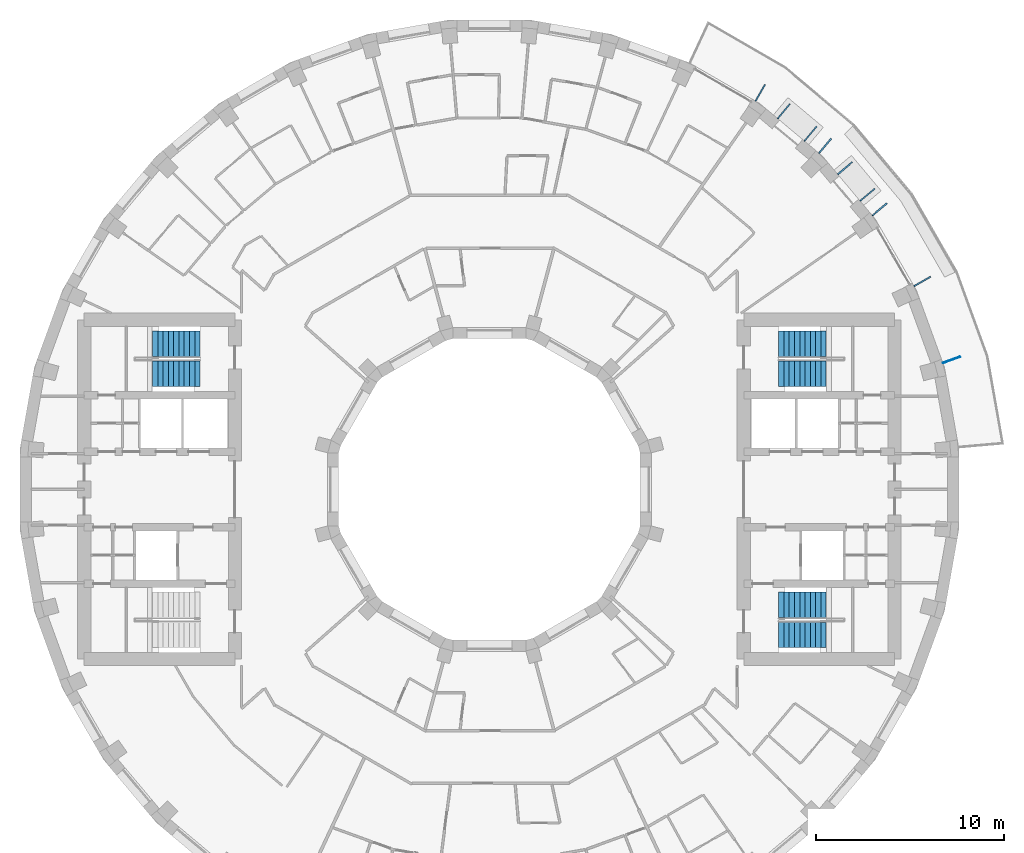
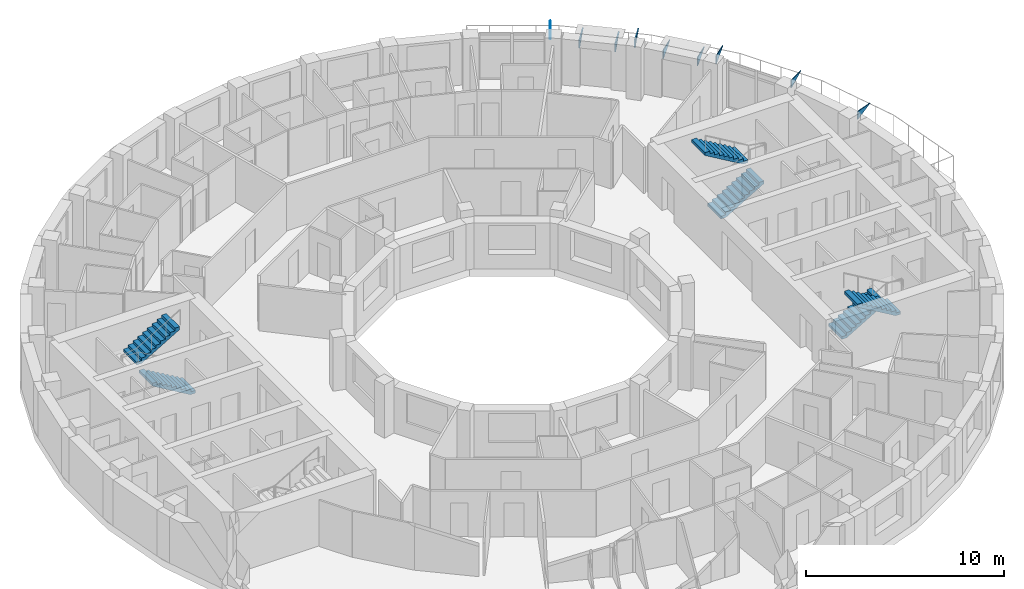
# One storey, part 14 of 15: 9 discrete accessories, 6 stair flights, 3 elements without a shape of their own.
"""IFC4 building model written with IfcOpenShell, lengths in metres."""

import ifcopenshell
import ifcopenshell.guid

model = None  # the IFC model being written
_history = None  # IfcOwnerHistory: only IFC2X3 demands one
_inside = {}  # id of a spatial element -> (the spatial element, [elements in it])
_under = {}  # id of a project, library or spatial element -> (it, [spatial elements below it])
_declared = {}  # id of a project -> (the project, [libraries it declares])
_typed = {}  # id of a type object -> (the type object, [elements of that type])
_made_of = {}  # id of a material, layer set ... -> (it, [elements and type objects made of it])


def new_model(schema):
    """Start an empty IFC model of exactly this schema.

    Asked for "IFC4X3", IfcOpenShell would pick the latest addendum, in which some entities
    have other attributes; the version numbers below select the first issue.
    IFC2X3 requires an IfcOwnerHistory on every rooted entity: one is made here for all.
    """
    global model, _history
    if schema == "IFC4X3":
        model = ifcopenshell.file(schema_version=(4, 3, 0, 0))
    else:
        model = ifcopenshell.file(schema=schema)
    _inside.clear()
    _under.clear()
    _declared.clear()
    _typed.clear()
    _made_of.clear()
    _history = None
    if model.schema == "IFC2X3":
        org = make("IfcOrganization", Name="unknown")
        user = make(
            "IfcPersonAndOrganization",
            ThePerson=make("IfcPerson", FamilyName="unknown"),
            TheOrganization=org,
        )
        app = make(
            "IfcApplication",
            ApplicationDeveloper=org,
            Version="unknown",
            ApplicationFullName="unknown",
            ApplicationIdentifier="unknown",
        )
        _history = make(
            "IfcOwnerHistory",
            OwningUser=user,
            OwningApplication=app,
            ChangeAction="ADDED",
            CreationDate=0,
        )
    return model


def make(cls, **values):
    """One entity of the class cls with the attributes given. An attribute that is None is left unset."""
    return model.create_entity(
        cls, **{name: value for name, value in values.items() if value is not None}
    )


def rooted(cls, **values):
    """An entity with a GlobalId (a new one), such as an element, a storey or a relation."""
    return make(cls, GlobalId=ifcopenshell.guid.new(), OwnerHistory=_history, **values)


def si_unit(unit_type, name, prefix=None):
    """IfcSIUnit, for example si_unit("LENGTHUNIT", "METRE", prefix="MILLI")."""
    return make("IfcSIUnit", UnitType=unit_type, Prefix=prefix, Name=name)


def assignment(units):
    """IfcUnitAssignment: the units of a project."""
    return None if units is None else make("IfcUnitAssignment", Units=units)


def point(xyz):
    """IfcCartesianPoint."""
    return None if xyz is None else make("IfcCartesianPoint", Coordinates=xyz)


def direction(xyz):
    """IfcDirection."""
    return None if xyz is None else make("IfcDirection", DirectionRatios=xyz)


def frame(location, z_axis=None, x_axis=None):
    """IfcAxis2Placement3D, a coordinate frame: its origin and axes. An axis left out is left unset."""
    return make(
        "IfcAxis2Placement3D",
        Location=point(location),
        Axis=direction(z_axis),
        RefDirection=direction(x_axis),
    )


def origin():
    """The frame at (0, 0, 0) with its axes left unset."""
    return frame((0.0, 0.0, 0.0))


def place(relative_to, where):
    """IfcLocalPlacement: puts the frame where relative to a parent placement (None: the world)."""
    return make(
        "IfcLocalPlacement", PlacementRelTo=relative_to, RelativePlacement=where
    )


def context(
    kind, dimensions, precision=None, world=None, true_north=None, identifier=None
):
    """IfcGeometricRepresentationContext, for example the 3D "Model" context."""
    return make(
        "IfcGeometricRepresentationContext",
        ContextIdentifier=identifier,
        ContextType=kind,
        CoordinateSpaceDimension=dimensions,
        Precision=precision,
        WorldCoordinateSystem=world,
        TrueNorth=true_north,
    )


def subcontext(parent, identifier, kind, view, scale=None):
    """IfcGeometricRepresentationSubContext, for example "Body" below "Model"."""
    return make(
        "IfcGeometricRepresentationSubContext",
        ContextIdentifier=identifier,
        ContextType=kind,
        ParentContext=parent,
        TargetScale=scale,
        TargetView=view,
    )


def project(units=None, contexts=None):
    """IfcProject with its units and contexts."""
    return rooted(
        "IfcProject",
        Name="project",
        RepresentationContexts=contexts,
        UnitsInContext=assignment(units),
    )


def spatial(cls, under=None, at=None, **own):
    """A site, building, storey or space (cls), placed at a placement, below another one or the project."""
    s = rooted(cls, ObjectPlacement=at, **own)
    if under is not None:
        _under.setdefault(under.id(), (under, []))[1].append(s)
    return s


def polyline(points):
    """IfcPolyline through the points."""
    return make("IfcPolyline", Points=[point(p) for p in points])


def outline(outer, holes=None, kind="AREA"):
    """IfcArbitraryClosedProfileDef: a profile drawn as a closed curve; with holes, ...WithVoids."""
    if holes is None:
        return make("IfcArbitraryClosedProfileDef", ProfileType=kind, OuterCurve=outer)
    return make(
        "IfcArbitraryProfileDefWithVoids",
        ProfileType=kind,
        OuterCurve=outer,
        InnerCurves=holes,
    )


def extrude(swept, where, along, depth):
    """IfcExtrudedAreaSolid: the profile swept, set in the frame where, extruded along a direction by depth."""
    return make(
        "IfcExtrudedAreaSolid",
        SweptArea=swept,
        Position=where,
        ExtrudedDirection=direction(along),
        Depth=depth,
    )


def shape(context_of_items, identifier, shape_type, items):
    """IfcShapeRepresentation: the items that make up one representation, for example the "Body"."""
    return make(
        "IfcShapeRepresentation",
        ContextOfItems=context_of_items,
        RepresentationIdentifier=identifier,
        RepresentationType=shape_type,
        Items=items,
    )


def material(Name=None, Category=None):
    """IfcMaterial."""
    return make("IfcMaterial", Name=Name, Category=Category)


def layer(
    of_material, thickness, ventilated=None, Name=None, Category=None, Priority=None
):
    """IfcMaterialLayer: one layer of a wall or slab, of a material (None: an air gap)."""
    return make(
        "IfcMaterialLayer",
        Material=of_material,
        LayerThickness=thickness,
        IsVentilated=ventilated,
        Name=Name,
        Category=Category,
        Priority=Priority,
    )


def layer_set(layers, Name=None):
    """IfcMaterialLayerSet."""
    return make("IfcMaterialLayerSet", MaterialLayers=layers, LayerSetName=Name)


def made_of(thing, what):
    """Note that an element or type object is made of a material, layer set ...; save() writes the relation."""
    if what is not None:
        _made_of.setdefault(what.id(), (what, []))[1].append(thing)
    return thing


def type_object(cls, material=None, **own):
    """A type object (cls), such as IfcWallType, which elements share."""
    return made_of(rooted(cls, **own), material)


def element(
    cls,
    number,
    at=None,
    inside=None,
    cuts=None,
    type_object=None,
    material=None,
    context=None,
    identifier="Body",
    shape_type=None,
    held_by="IfcProductDefinitionShape",
    body=None,
    shapes=None,
    **own,
):
    """One element of the class cls, such as IfcWall. Its Tag is "e" and its number.

    at: its placement. inside: the storey or other place that contains it. cuts: it is an
    opening in that element (IfcRelVoidsElement). A single representation is given by context,
    identifier, shape_type and body (its items); several are given by shapes. held_by: the class
    of the entity that holds the representations. save() writes the other relations.
    """
    e = rooted(cls, Tag="e%d" % number, ObjectPlacement=at, **own)
    if body is not None:
        shapes = [shape(context, identifier, shape_type, body)]
    if shapes is not None:
        e.Representation = make(held_by, Representations=shapes)
    if inside is not None:
        _inside.setdefault(inside.id(), (inside, []))[1].append(e)
    if cuts is not None:
        rooted(
            "IfcRelVoidsElement", RelatingBuildingElement=cuts, RelatedOpeningElement=e
        )
    if type_object is not None:
        _typed.setdefault(type_object.id(), (type_object, []))[1].append(e)
    return made_of(e, material)


def aggregate(whole, parts):
    """IfcRelAggregates: a whole, such as a stair, and the parts it consists of."""
    return rooted("IfcRelAggregates", RelatingObject=whole, RelatedObjects=parts)


def save(model, path):
    """Write the relations noted so far, then the file.

    IfcRelAggregates (storeys below a building ...), IfcRelContainedInSpatialStructure (elements
    in a storey), IfcRelDefinesByType, IfcRelAssociatesMaterial and IfcRelDeclares: one each for
    every whole, place, type object, material and project.
    """
    for whole, parts in _under.values():
        aggregate(whole, parts)
    for where, things in _inside.values():
        rooted(
            "IfcRelContainedInSpatialStructure",
            RelatedElements=things,
            RelatingStructure=where,
        )
    for kind, things in _typed.values():
        rooted("IfcRelDefinesByType", RelatedObjects=things, RelatingType=kind)
    for what, things in _made_of.values():
        rooted("IfcRelAssociatesMaterial", RelatedObjects=things, RelatingMaterial=what)
    for by, libraries in _declared.values():
        rooted("IfcRelDeclares", RelatingContext=by, RelatedDefinitions=libraries)
    model.write(path)


model = new_model("IFC4")

# Units and contexts
model_context = context("Model", 3, precision=1e-05, world=origin(), true_north=direction((0.0, 1.0)))
body_context = subcontext(model_context, "Body", "Model", "MODEL_VIEW")
ifc_project = project(units=[si_unit("LENGTHUNIT", "METRE"), si_unit("AREAUNIT", "SQUARE_METRE"), si_unit("VOLUMEUNIT", "CUBIC_METRE"), si_unit("PLANEANGLEUNIT", "RADIAN"), si_unit("MASSUNIT", "GRAM", prefix="KILO")], contexts=[model_context])

# Site, building, storey
site_placement = place(None, origin())
site = spatial("IfcSite", under=ifc_project, at=site_placement, CompositionType="ELEMENT")
building_placement = place(site_placement, origin())
building = spatial("IfcBuilding", under=site, at=building_placement, Name="Saqina Gate Tower", CompositionType="ELEMENT")
storey_placement = place(building_placement, frame((0.0, 0.0, 193.800048828125)))
storey = spatial("IfcBuildingStorey", under=building, at=storey_placement, Name="L55", CompositionType="ELEMENT", Elevation=193.800048828125)

# Stair, stair flights
ifc_material_1 = material(Name="Concrete C40/50", Category="concrete")
stair_type = type_object("IfcStairType", Name="EXIT STAIR", PredefinedType="HALF_TURN_STAIR", material=ifc_material_1)
stair_1_placement = place(storey_placement, origin())
stair_1 = element("IfcStair", 1, at=stair_1_placement, inside=storey, type_object=stair_type, Name="EXIT STAIR 1", PredefinedType="HALF_TURN_STAIR")
ifc_material_2 = material(Name="Concrete C40/50", Category="concrete")
stair_flight_type = type_object("IfcStairFlightType", Name="EXIT STAIR FLIGHT", PredefinedType="STRAIGHT", material=ifc_material_2)
stair_flight_1_placement = place(storey_placement, frame((15.35009765625, 6.125, 0.0), z_axis=(0.0, 0.0, 1.0), x_axis=(1.0, 0.0, 0.0)))
stair_flight_1 = element("IfcStairFlight", 2, at=stair_flight_1_placement, type_object=stair_flight_type, Name="EXIT STAIR 1 FLIGHT 1", NumberOfRisers=10, NumberOfTreads=9, PredefinedType="STRAIGHT", RiserHeight=0.165, TreadLength=0.28, context=body_context, shape_type="SweptSolid", body=[
    extrude(outline(polyline([(0.0, 0.0), (0.0, 0.1650390625), (0.280029296875, 0.1650390625), (0.280029296875, 0.330078125), (0.56005859375, 0.330078125), (0.56005859375, 0.4951171875), (0.840087890625, 0.4951171875), (0.840087890625, 0.659912109375), (1.1201171875, 0.659912109375), (1.1201171875, 0.824951171875), (1.39990234375, 0.824951171875), (1.39990234375, 0.989990234375), (1.679931640625, 0.989990234375), (1.679931640625, 1.155029296875), (1.9599609375, 1.155029296875), (1.9599609375, 1.320068359375), (2.239990234375, 1.320068359375), (2.239990234375, 1.485107421875), (2.52001953125, 1.485107421875), (2.52001953125, 1.64990234375), (2.52001953125, 1.31103515625), (0.295166015625, 0.0), (0.0, 0.0)])), frame((0.0, 0.675048828125, 0.0), z_axis=(0.0, -1.0, 0.0), x_axis=(1.0, 0.0, 0.0)), (0.0, 0.0, 1.0), 1.35009765625),
])
stair_flight_2_placement = place(storey_placement, frame((17.8701171875, 7.72509765625, 1.64990234375), z_axis=(0.0, 0.0, 1.0), x_axis=(-1.0, 0.0, 0.0)))
stair_flight_2 = element("IfcStairFlight", 3, at=stair_flight_2_placement, type_object=stair_flight_type, Name="EXIT STAIR 1 FLIGHT 2", NumberOfRisers=10, NumberOfTreads=9, PredefinedType="STRAIGHT", RiserHeight=0.165, TreadLength=0.28, context=body_context, shape_type="SweptSolid", body=[
    extrude(outline(polyline([(0.0, 0.0), (0.0, 0.1650390625), (0.280029296875, 0.1650390625), (0.280029296875, 0.330078125), (0.56005859375, 0.330078125), (0.56005859375, 0.4951171875), (0.840087890625, 0.4951171875), (0.840087890625, 0.659912109375), (1.1201171875, 0.659912109375), (1.1201171875, 0.824951171875), (1.39990234375, 0.824951171875), (1.39990234375, 0.989990234375), (1.679931640625, 0.989990234375), (1.679931640625, 1.155029296875), (1.9599609375, 1.155029296875), (1.9599609375, 1.320068359375), (2.239990234375, 1.320068359375), (2.239990234375, 1.485107421875), (2.52001953125, 1.485107421875), (2.52001953125, 1.64990234375), (2.52001953125, 1.31103515625), (0.295166015625, 0.0), (0.0, 0.0)])), frame((0.0, 0.675048828125, 0.0), z_axis=(0.0, -1.0, 0.0), x_axis=(1.0, 0.0, 0.0)), (0.0, 0.0, 1.0), 1.35009765625),
])
aggregate(stair_1, [stair_flight_1, stair_flight_2])

stair_2_placement = place(storey_placement, origin())
stair_2 = element("IfcStair", 4, at=stair_2_placement, inside=storey, type_object=stair_type, Name="EXIT STAIR 2", PredefinedType="HALF_TURN_STAIR")
stair_flight_3_placement = place(storey_placement, frame((15.35009765625, -6.125, 0.0), z_axis=(0.0, 0.0, 1.0), x_axis=(1.0, 0.0, 0.0)))
stair_flight_3 = element("IfcStairFlight", 5, at=stair_flight_3_placement, type_object=stair_flight_type, Name="EXIT STAIR 2 FLIGHT 1", NumberOfRisers=10, NumberOfTreads=9, PredefinedType="STRAIGHT", RiserHeight=0.165, TreadLength=0.28, context=body_context, shape_type="SweptSolid", body=[
    extrude(outline(polyline([(0.0, 0.0), (0.0, 0.1650390625), (0.280029296875, 0.1650390625), (0.280029296875, 0.330078125), (0.56005859375, 0.330078125), (0.56005859375, 0.4951171875), (0.840087890625, 0.4951171875), (0.840087890625, 0.659912109375), (1.1201171875, 0.659912109375), (1.1201171875, 0.824951171875), (1.39990234375, 0.824951171875), (1.39990234375, 0.989990234375), (1.679931640625, 0.989990234375), (1.679931640625, 1.155029296875), (1.9599609375, 1.155029296875), (1.9599609375, 1.320068359375), (2.239990234375, 1.320068359375), (2.239990234375, 1.485107421875), (2.52001953125, 1.485107421875), (2.52001953125, 1.64990234375), (2.52001953125, 1.31103515625), (0.295166015625, 0.0), (0.0, 0.0)])), frame((0.0, 0.675048828125, 0.0), z_axis=(0.0, -1.0, 0.0), x_axis=(1.0, 0.0, 0.0)), (0.0, 0.0, 1.0), 1.35009765625),
])
stair_flight_4_placement = place(storey_placement, frame((17.8701171875, -7.72509765625, 1.64990234375), z_axis=(0.0, 0.0, 1.0), x_axis=(-1.0, 0.0, 0.0)))
stair_flight_4 = element("IfcStairFlight", 6, at=stair_flight_4_placement, type_object=stair_flight_type, Name="EXIT STAIR 2 FLIGHT 2", NumberOfRisers=10, NumberOfTreads=9, PredefinedType="STRAIGHT", RiserHeight=0.165, TreadLength=0.28, context=body_context, shape_type="SweptSolid", body=[
    extrude(outline(polyline([(0.0, 0.0), (0.0, 0.1650390625), (0.280029296875, 0.1650390625), (0.280029296875, 0.330078125), (0.56005859375, 0.330078125), (0.56005859375, 0.4951171875), (0.840087890625, 0.4951171875), (0.840087890625, 0.659912109375), (1.1201171875, 0.659912109375), (1.1201171875, 0.824951171875), (1.39990234375, 0.824951171875), (1.39990234375, 0.989990234375), (1.679931640625, 0.989990234375), (1.679931640625, 1.155029296875), (1.9599609375, 1.155029296875), (1.9599609375, 1.320068359375), (2.239990234375, 1.320068359375), (2.239990234375, 1.485107421875), (2.52001953125, 1.485107421875), (2.52001953125, 1.64990234375), (2.52001953125, 1.31103515625), (0.295166015625, 0.0), (0.0, 0.0)])), frame((0.0, 0.675048828125, 0.0), z_axis=(0.0, -1.0, 0.0), x_axis=(1.0, 0.0, 0.0)), (0.0, 0.0, 1.0), 1.35009765625),
])
aggregate(stair_2, [stair_flight_3, stair_flight_4])

stair_3_placement = place(storey_placement, origin())
stair_3 = element("IfcStair", 7, at=stair_3_placement, inside=storey, type_object=stair_type, Name="EXIT STAIR 3", PredefinedType="HALF_TURN_STAIR")
stair_flight_5_placement = place(storey_placement, frame((-15.35009765625, 6.125, 0.0), z_axis=(0.0, 0.0, 1.0), x_axis=(-1.0, 0.0, 0.0)))
stair_flight_5 = element("IfcStairFlight", 8, at=stair_flight_5_placement, type_object=stair_flight_type, Name="EXIT STAIR 3 FLIGHT 1", NumberOfRisers=10, NumberOfTreads=9, PredefinedType="STRAIGHT", RiserHeight=0.165, TreadLength=0.28, context=body_context, shape_type="SweptSolid", body=[
    extrude(outline(polyline([(0.0, 0.0), (0.0, 0.1650390625), (0.280029296875, 0.1650390625), (0.280029296875, 0.330078125), (0.56005859375, 0.330078125), (0.56005859375, 0.4951171875), (0.840087890625, 0.4951171875), (0.840087890625, 0.659912109375), (1.1201171875, 0.659912109375), (1.1201171875, 0.824951171875), (1.39990234375, 0.824951171875), (1.39990234375, 0.989990234375), (1.679931640625, 0.989990234375), (1.679931640625, 1.155029296875), (1.9599609375, 1.155029296875), (1.9599609375, 1.320068359375), (2.239990234375, 1.320068359375), (2.239990234375, 1.485107421875), (2.52001953125, 1.485107421875), (2.52001953125, 1.64990234375), (2.52001953125, 1.31103515625), (0.295166015625, 0.0), (0.0, 0.0)])), frame((0.0, 0.675048828125, 0.0), z_axis=(0.0, -1.0, 0.0), x_axis=(1.0, 0.0, 0.0)), (0.0, 0.0, 1.0), 1.35009765625),
])
stair_flight_6_placement = place(storey_placement, frame((-17.8701171875, 7.72509765625, 1.64990234375), z_axis=(0.0, 0.0, 1.0), x_axis=(1.0, 0.0, 0.0)))
stair_flight_6 = element("IfcStairFlight", 9, at=stair_flight_6_placement, type_object=stair_flight_type, Name="EXIT STAIR 3 FLIGHT 2", NumberOfRisers=10, NumberOfTreads=9, PredefinedType="STRAIGHT", RiserHeight=0.165, TreadLength=0.28, context=body_context, shape_type="SweptSolid", body=[
    extrude(outline(polyline([(0.0, 0.0), (0.0, 0.1650390625), (0.280029296875, 0.1650390625), (0.280029296875, 0.330078125), (0.56005859375, 0.330078125), (0.56005859375, 0.4951171875), (0.840087890625, 0.4951171875), (0.840087890625, 0.659912109375), (1.1201171875, 0.659912109375), (1.1201171875, 0.824951171875), (1.39990234375, 0.824951171875), (1.39990234375, 0.989990234375), (1.679931640625, 0.989990234375), (1.679931640625, 1.155029296875), (1.9599609375, 1.155029296875), (1.9599609375, 1.320068359375), (2.239990234375, 1.320068359375), (2.239990234375, 1.485107421875), (2.52001953125, 1.485107421875), (2.52001953125, 1.64990234375), (2.52001953125, 1.31103515625), (0.295166015625, 0.0), (0.0, 0.0)])), frame((0.0, 0.675048828125, 0.0), z_axis=(0.0, -1.0, 0.0), x_axis=(1.0, 0.0, 0.0)), (0.0, 0.0, 1.0), 1.35009765625),
])
aggregate(stair_3, [stair_flight_5, stair_flight_6])

# Discrete accessories
ifc_material_3 = material(Name="Galvanised steel", Category="steel")
ifc_layer_1 = layer(ifc_material_3, 0.050048828125)
ifc_layer_set_1 = layer_set([ifc_layer_1], Name="BR-AWNING")
discrete_accessory_type_1 = type_object("IfcDiscreteAccessoryType", Name="BR-AWNING", PredefinedType="BRACKET", material=ifc_layer_set_1)
for number, where, z_axis, x_axis, name in (
    (10, (19.65673828125, 15.319091796875, 1.974853515625), (-0.642894271969, 0.765954930181, 0.0), (0.0, 0.0, 1.0), "Awning bracket L55 facet 4"),
    (11, (18.4677734375, 16.736083984375, 1.974853515625), (-0.642894271969, 0.765954930181, 0.0), (0.0, 0.0, 1.0), "Awning bracket L55 facet 4"),
):
    element("IfcDiscreteAccessory", number, at=place(storey_placement, frame(where, z_axis=z_axis, x_axis=x_axis)), inside=storey, type_object=discrete_accessory_type_1, Name=name, PredefinedType="BRACKET", context=body_context, shape_type="SweptSolid", body=[
        extrude(outline(polyline([(0.0, 0.0), (0.550048828125, 0.0), (0.550048828125, 0.9998879966000863), (0.0, 0.0)])), origin(), (0.0, 0.0, -1.0), 0.050048828125),
    ])
discrete_accessory_1_placement = place(storey_placement, frame((16.697998046875, 18.499755859375, 1.974853515625), z_axis=(-0.766055819685, 0.64277405138, 0.0), x_axis=(0.0, 0.0, 1.0)))
element("IfcDiscreteAccessory", 12, at=discrete_accessory_1_placement, inside=storey, type_object=discrete_accessory_type_1, Name="Awning bracket L55 facet 5", PredefinedType="BRACKET", context=body_context, shape_type="SweptSolid", body=[
    extrude(outline(polyline([(0.0, 0.0), (0.550048828125, 0.0), (0.550048828125, 1.0000750096322273), (0.0, 0.0)])), origin(), (0.0, 0.0, -1.0), 0.050048828125),
])
discrete_accessory_2_placement = place(storey_placement, frame((15.281005859375, 19.688720703125, 1.974853515625), z_axis=(-0.766176031171, 0.642630756546, 0.0), x_axis=(0.0, 0.0, 1.0)))
element("IfcDiscreteAccessory", 13, at=discrete_accessory_2_placement, inside=storey, type_object=discrete_accessory_type_1, Name="Awning bracket L55 facet 5", PredefinedType="BRACKET", context=body_context, shape_type="SweptSolid", body=[
    extrude(outline(polyline([(0.0, 0.0), (0.550048828125, 0.0), (0.550048828125, 0.9999180998642625), (0.0, 0.0)])), origin(), (0.0, 0.0, -1.0), 0.050048828125),
])
ifc_material_4 = material(Name="Galvanised steel", Category="steel")
ifc_layer_2 = layer(ifc_material_4, 0.050048828125)
ifc_layer_set_2 = layer_set([ifc_layer_2], Name="BR-GUSSET")
discrete_accessory_type_2 = type_object("IfcDiscreteAccessoryType", Name="BR-GUSSET", PredefinedType="BRACKET", material=ifc_layer_set_2)
discrete_accessory_3_placement = place(storey_placement, frame((24.05419921875, 6.72900390625, 2.349853515625), z_axis=(-0.341821477669, 0.939764905391, 0.0), x_axis=(0.0, 0.0, 1.0)))
element("IfcDiscreteAccessory", 14, at=discrete_accessory_3_placement, inside=storey, type_object=discrete_accessory_type_2, Name="Terrace slab bracket L56 1", PredefinedType="BRACKET", context=body_context, shape_type="SweptSolid", body=[
    extrude(outline(polyline([(0.0, 0.0), (0.5, 0.0), (0.5, 0.999928024801219), (0.0, 0.0)])), origin(), (0.0, 0.0, -1.0), 0.050048828125),
])
discrete_accessory_4_placement = place(storey_placement, frame((22.520263671875, 10.8037109375, 2.349853515625), z_axis=(-0.50002537861, 0.866010750942, 0.0), x_axis=(0.0, 0.0, 1.0)))
element("IfcDiscreteAccessory", 15, at=discrete_accessory_4_placement, inside=storey, type_object=discrete_accessory_type_2, Name="Terrace slab bracket L56 2", PredefinedType="BRACKET", context=body_context, shape_type="SweptSolid", body=[
    extrude(outline(polyline([(0.0, 0.0), (0.5, 0.0), (0.5, 0.9999492453569568), (0.0, 0.0)])), origin(), (0.0, 0.0, -1.0), 0.050048828125),
])
for number, where, z_axis, x_axis, name in (
    (16, (20.302001953125, 14.550048828125, 2.349853515625), (-0.64277405138, 0.766055819685, 0.0), (0.0, 0.0, 1.0), "Terrace slab bracket L56 3"),
    (17, (17.467041015625, 17.8544921875, 2.349853515625), (-0.766055819685, 0.64277405138, 0.0), (0.0, 0.0, 1.0), "Terrace slab bracket L56 4"),
):
    element("IfcDiscreteAccessory", number, at=place(storey_placement, frame(where, z_axis=z_axis, x_axis=x_axis)), inside=storey, type_object=discrete_accessory_type_2, Name=name, PredefinedType="BRACKET", context=body_context, shape_type="SweptSolid", body=[
        extrude(outline(polyline([(0.0, 0.0), (0.5, 0.0), (0.5, 1.0000750096322275), (0.0, 0.0)])), origin(), (0.0, 0.0, -1.0), 0.050048828125),
    ])
discrete_accessory_5_placement = place(storey_placement, frame((14.101318359375, 20.6162109375, 2.349853515625), z_axis=(-0.866071776036, 0.499919672301, 0.0), x_axis=(0.0, 0.0, 1.0)))
element("IfcDiscreteAccessory", 18, at=discrete_accessory_5_placement, inside=storey, type_object=discrete_accessory_type_2, Name="Terrace slab bracket L56 5", PredefinedType="BRACKET", context=body_context, shape_type="SweptSolid", body=[
    extrude(outline(polyline([(0.0, 0.0), (0.5, 0.0), (0.5, 1.0001606812130883), (0.0, 0.0)])), origin(), (0.0, 0.0, -1.0), 0.050048828125),
])

save(model, "model.ifc")
